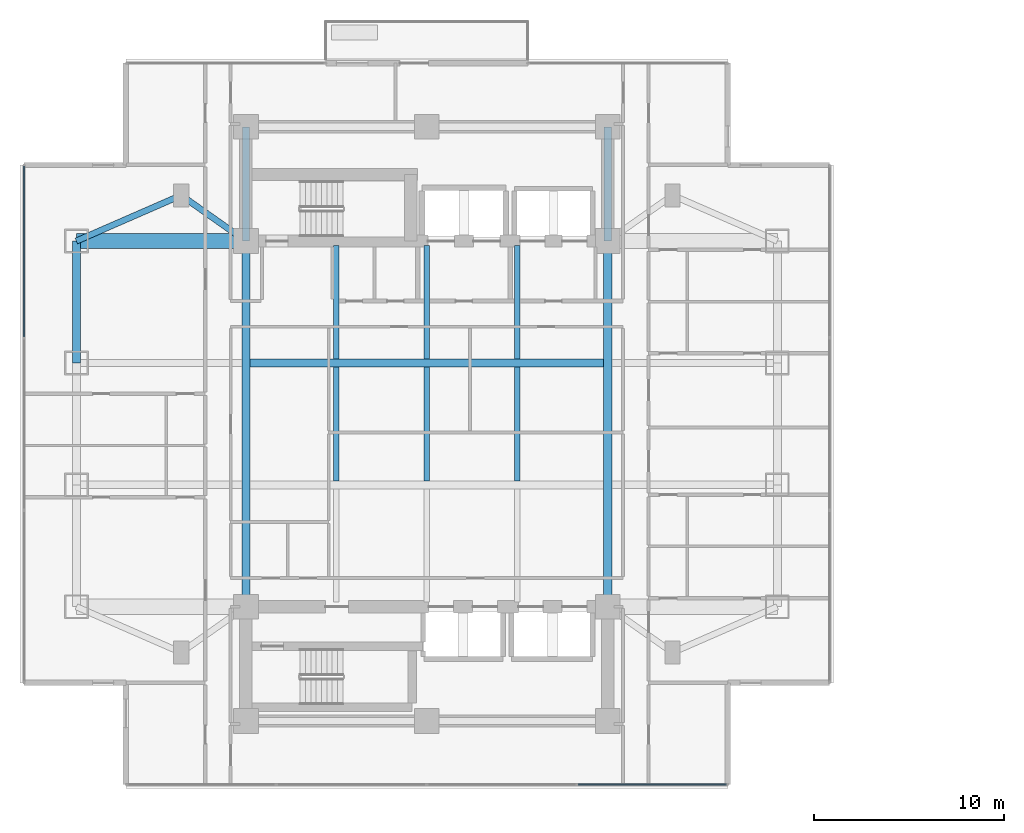
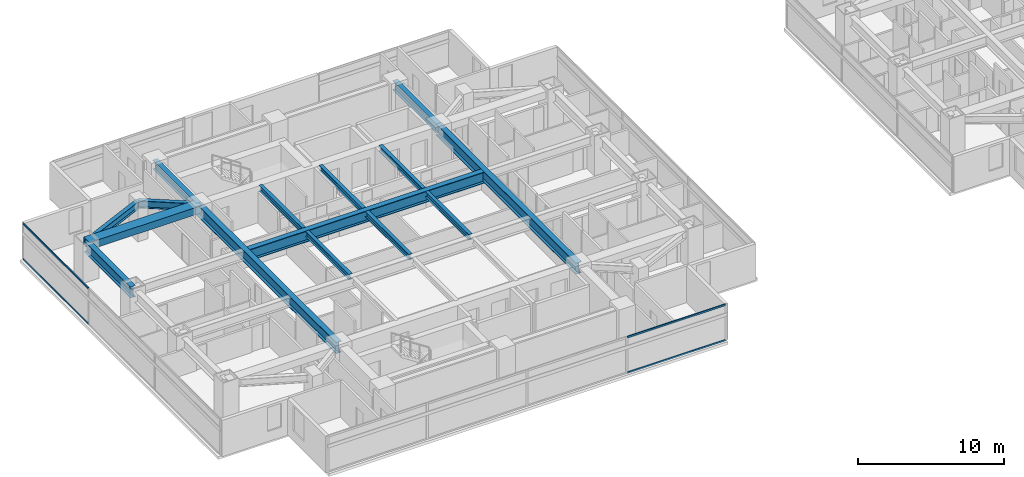
# One storey, part 3 of 25: 15 beams, 4 members, 2 elements without a shape of their own.
"""IFC4 building model written with IfcOpenShell, lengths in metres."""

from ifc_helpers import new_model, si_unit, direction, frame, origin, origin_2d, place, context, subcontext, project, spatial, rectangle, i_section, extrude, material, material_profile, profile_set, type_object, element, aggregate, save


model = new_model("IFC4")

# Units and contexts
model_context = context("Model", 3, precision=1e-05, world=origin(), true_north=direction((0.0, 1.0)))
body_context = subcontext(model_context, "Body", "Model", "MODEL_VIEW")
ifc_project = project(units=[si_unit("LENGTHUNIT", "METRE"), si_unit("AREAUNIT", "SQUARE_METRE"), si_unit("VOLUMEUNIT", "CUBIC_METRE"), si_unit("PLANEANGLEUNIT", "RADIAN"), si_unit("MASSUNIT", "GRAM", prefix="KILO")], contexts=[model_context])

# Site, building, storey
site_placement = place(None, origin())
site = spatial("IfcSite", under=ifc_project, at=site_placement, CompositionType="ELEMENT")
building_placement = place(site_placement, origin())
building = spatial("IfcBuilding", under=site, at=building_placement, Name="Mirazonda Arch Towers", CompositionType="ELEMENT")
storey_placement = place(building_placement, frame((0.0, 0.0, 58.699951171875)))
storey = spatial("IfcBuildingStorey", under=building, at=storey_placement, Name="L16", CompositionType="ELEMENT", Elevation=58.699951171875)

# Beams
ifc_material_1 = material(Name="Steel ASTM A992 Grade 50", Category="steel")
ifc_material_profile_1 = material_profile(ifc_material_1, i_section(OverallWidth=0.41796875, OverallDepth=0.927001953125, WebThickness=0.019287109375, FlangeThickness=0.031982421875, at=origin_2d()), Name="W36X231")
ifc_profile_set_1 = profile_set([ifc_material_profile_1], Name="Steel ASTM A992 Grade 50")
beam_type_1 = type_object("IfcBeamType", Name="BM-EXT-W36X231", PredefinedType="USERDEFINED", material=ifc_profile_set_1)
beam_1_placement = place(storey_placement, frame((2.10009765625, 31.199951171875, 2.596435546875), z_axis=(0.0, 1.0, 0.0), x_axis=(-1.0, 0.0, 0.0)))
element("IfcBeam", 1, at=beam_1_placement, inside=storey, type_object=beam_type_1, Name="L16 Floor Beam BM-T1-L16-NS-W-31", ObjectType="GIRDER", PredefinedType="USERDEFINED", context=body_context, shape_type="SweptSolid", body=[
    extrude(i_section(OverallWidth=0.41796875, OverallDepth=0.927001953125, WebThickness=0.019287109375, FlangeThickness=0.031982421875, at=origin_2d()), origin(), (0.0, 0.0, 1.0), 6.400146484375),
])
ifc_material_profile_2 = material_profile(ifc_material_1, i_section(OverallWidth=0.280029296875, OverallDepth=0.462890625, WebThickness=0.0107421875, FlangeThickness=0.017333984375, at=origin_2d()), Name="W18X76")
ifc_profile_set_2 = profile_set([ifc_material_profile_2], Name="Steel ASTM A992 Grade 50")
beam_type_2 = type_object("IfcBeamType", Name="BM-INT-W18X76", PredefinedType="JOIST", material=ifc_profile_set_2)
beam_2_placement = place(storey_placement, frame((15.75, 31.407470703125, 2.82861328125), z_axis=(0.0, 1.0, 0.0), x_axis=(-1.0, 0.0, 0.0)))
element("IfcBeam", 2, at=beam_2_placement, inside=storey, type_object=beam_type_2, Name="L16 Floor Beam BM-T1-L16-J-157-31", PredefinedType="JOIST", context=body_context, shape_type="SweptSolid", body=[
    extrude(i_section(OverallWidth=0.280029296875, OverallDepth=0.462890625, WebThickness=0.0107421875, FlangeThickness=0.017333984375, at=origin_2d()), origin(), (0.0, 0.0, 1.0), 5.95263671875),
])
beam_3_placement = place(storey_placement, frame((15.75, 25.007568359375, 2.82861328125), z_axis=(0.0, 1.0, 0.0), x_axis=(-1.0, 0.0, 0.0)))
element("IfcBeam", 3, at=beam_3_placement, inside=storey, type_object=beam_type_2, Name="L16 Floor Beam BM-T1-L16-J-157-24", PredefinedType="JOIST", context=body_context, shape_type="SweptSolid", body=[
    extrude(i_section(OverallWidth=0.280029296875, OverallDepth=0.462890625, WebThickness=0.0107421875, FlangeThickness=0.017333984375, at=origin_2d()), origin(), (0.0, 0.0, 1.0), 5.98486328125),
])
beam_4_placement = place(storey_placement, frame((20.5, 31.407470703125, 2.82861328125), z_axis=(0.0, 1.0, 0.0), x_axis=(-1.0, 0.0, 0.0)))
element("IfcBeam", 4, at=beam_4_placement, inside=storey, type_object=beam_type_2, Name="L16 Floor Beam BM-T1-L16-J-205-31", PredefinedType="JOIST", context=body_context, shape_type="SweptSolid", body=[
    extrude(i_section(OverallWidth=0.280029296875, OverallDepth=0.462890625, WebThickness=0.0107421875, FlangeThickness=0.017333984375, at=origin_2d()), origin(), (0.0, 0.0, 1.0), 5.95263671875),
])
beam_5_placement = place(storey_placement, frame((20.5, 25.007568359375, 2.82861328125), z_axis=(0.0, 1.0, 0.0), x_axis=(-1.0, 0.0, 0.0)))
element("IfcBeam", 5, at=beam_5_placement, inside=storey, type_object=beam_type_2, Name="L16 Floor Beam BM-T1-L16-J-205-24", PredefinedType="JOIST", context=body_context, shape_type="SweptSolid", body=[
    extrude(i_section(OverallWidth=0.280029296875, OverallDepth=0.462890625, WebThickness=0.0107421875, FlangeThickness=0.017333984375, at=origin_2d()), origin(), (0.0, 0.0, 1.0), 5.98486328125),
])
beam_6_placement = place(storey_placement, frame((25.25, 31.407470703125, 2.82861328125), z_axis=(0.0, 1.0, 0.0), x_axis=(-1.0, 0.0, 0.0)))
element("IfcBeam", 6, at=beam_6_placement, inside=storey, type_object=beam_type_2, Name="L16 Floor Beam BM-T1-L16-J-252-31", PredefinedType="JOIST", context=body_context, shape_type="SweptSolid", body=[
    extrude(i_section(OverallWidth=0.280029296875, OverallDepth=0.462890625, WebThickness=0.0107421875, FlangeThickness=0.017333984375, at=origin_2d()), origin(), (0.0, 0.0, 1.0), 5.95263671875),
])
beam_7_placement = place(storey_placement, frame((25.25, 25.007568359375, 2.82861328125), z_axis=(0.0, 1.0, 0.0), x_axis=(-1.0, 0.0, 0.0)))
element("IfcBeam", 7, at=beam_7_placement, inside=storey, type_object=beam_type_2, Name="L16 Floor Beam BM-T1-L16-J-252-24", PredefinedType="JOIST", context=body_context, shape_type="SweptSolid", body=[
    extrude(i_section(OverallWidth=0.280029296875, OverallDepth=0.462890625, WebThickness=0.0107421875, FlangeThickness=0.017333984375, at=origin_2d()), origin(), (0.0, 0.0, 1.0), 5.98486328125),
])
ifc_material_profile_3 = material_profile(ifc_material_1, i_section(OverallWidth=0.324951171875, OverallDepth=0.615966796875, WebThickness=0.013916015625, FlangeThickness=0.021484375, at=origin_2d()), Name="W24X117")
ifc_profile_set_3 = profile_set([ifc_material_profile_3], Name="Steel ASTM A992 Grade 50")
beam_type_3 = type_object("IfcBeamType", Name="BM-INT-W24X117", PredefinedType="BEAM", material=ifc_profile_set_3)
beam_8_placement = place(storey_placement, frame((7.60009765625, 40.0, 2.751953125), z_axis=(0.816971114901, -0.576678591087, 0.0), x_axis=(0.576678591087, 0.816971114901, 0.0)))
element("IfcBeam", 8, at=beam_8_placement, inside=storey, type_object=beam_type_3, Name="L16 Floor Beam BM-T1-L16-PL-NW1", PredefinedType="BEAM", context=body_context, shape_type="SweptSolid", body=[
    extrude(i_section(OverallWidth=0.324951171875, OverallDepth=0.615966796875, WebThickness=0.013916015625, FlangeThickness=0.021484375, at=origin_2d()), origin(), (0.0, 0.0, 1.0), 4.16162109375),
])
beam_9_placement = place(storey_placement, frame((7.60009765625, 40.0, 2.751953125), z_axis=(-0.916545343703, -0.399930785183, 0.0), x_axis=(0.399930785183, -0.916545343703, 0.0)))
element("IfcBeam", 9, at=beam_9_placement, inside=storey, type_object=beam_type_3, Name="L16 Floor Beam BM-T1-L16-PL-NW2", PredefinedType="BEAM", context=body_context, shape_type="SweptSolid", body=[
    extrude(i_section(OverallWidth=0.324951171875, OverallDepth=0.615966796875, WebThickness=0.013916015625, FlangeThickness=0.021484375, at=origin_2d()), origin(), (0.0, 0.0, 1.0), 6.000732421875),
])
ifc_material_profile_4 = material_profile(ifc_material_1, i_section(OverallWidth=0.381103515625, OverallDepth=0.77294921875, WebThickness=0.0166015625, FlangeThickness=0.027099609375, at=origin_2d()), Name="W30X173")
ifc_profile_set_4 = profile_set([ifc_material_profile_4], Name="Steel ASTM A992 Grade 50")
beam_type_4 = type_object("IfcBeamType", Name="BM-INT-W30X173", PredefinedType="USERDEFINED", material=ifc_profile_set_4)
for number, where, z_axis, x_axis, name in (
    (10, (11.0, 37.60009765625, 2.673583984375), (0.0, 1.0, 0.0), (-1.0, 0.0, 0.0), "L16 Floor Beam BM-T1-L16-CNW"),
    (11, (30.0, 37.60009765625, 2.673583984375), (0.0, 1.0, 0.0), (-1.0, 0.0, 0.0), "L16 Floor Beam BM-T1-L16-CNE"),
):
    element("IfcBeam", number, at=place(storey_placement, frame(where, z_axis=z_axis, x_axis=x_axis)), inside=storey, type_object=beam_type_4, Name=name, ObjectType="GIRDER", PredefinedType="USERDEFINED", context=body_context, shape_type="SweptSolid", body=[
        extrude(i_section(OverallWidth=0.381103515625, OverallDepth=0.77294921875, WebThickness=0.0166015625, FlangeThickness=0.027099609375, at=origin_2d()), origin(), (0.0, 0.0, 1.0), 6.0),
    ])
ifc_material_profile_5 = material_profile(ifc_material_1, i_section(OverallWidth=0.423095703125, OverallDepth=0.947998046875, WebThickness=0.02392578125, FlangeThickness=0.042724609375, at=origin_2d()), Name="W36X302")
ifc_profile_set_5 = profile_set([ifc_material_profile_5], Name="Steel ASTM A992 Grade 50")
beam_type_5 = type_object("IfcBeamType", Name="BM-INT-W36X302", PredefinedType="USERDEFINED", material=ifc_profile_set_5)
beam_10_placement = place(storey_placement, frame((11.21142578125, 31.199951171875, 2.5859375), z_axis=(1.0, 0.0, 0.0), x_axis=(0.0, 1.0, 0.0)))
element("IfcBeam", 12, at=beam_10_placement, inside=storey, type_object=beam_type_5, Name="L16 Floor Beam BM-T1-L16-GC3", ObjectType="GIRDER", PredefinedType="USERDEFINED", context=body_context, shape_type="SweptSolid", body=[
    extrude(i_section(OverallWidth=0.423095703125, OverallDepth=0.947998046875, WebThickness=0.02392578125, FlangeThickness=0.042724609375, at=origin_2d()), origin(), (0.0, 0.0, 1.0), 18.5771484375),
])
for number, where, z_axis, x_axis, name in (
    (13, (11.0, 18.39990234375, 2.5859375), (0.0, 1.0, 0.0), (-1.0, 0.0, 0.0), "L16 Floor Beam BM-T1-L16-NS-CW-FULL"),
    (14, (30.0, 18.39990234375, 2.5859375), (0.0, 1.0, 0.0), (-1.0, 0.0, 0.0), "L16 Floor Beam BM-T1-L16-NS-CE-FULL"),
):
    element("IfcBeam", number, at=place(storey_placement, frame(where, z_axis=z_axis, x_axis=x_axis)), inside=storey, type_object=beam_type_5, Name=name, ObjectType="GIRDER", PredefinedType="USERDEFINED", context=body_context, shape_type="SweptSolid", body=[
        extrude(i_section(OverallWidth=0.423095703125, OverallDepth=0.947998046875, WebThickness=0.02392578125, FlangeThickness=0.042724609375, at=origin_2d()), origin(), (0.0, 0.0, 1.0), 19.2001953125),
    ])
ifc_material_2 = material(Name="Concrete C60/75", Category="concrete")
ifc_material_profile_6 = material_profile(ifc_material_2, rectangle(XDim=0.800048828125, YDim=0.60009765625, at=origin_2d()), Name="RCCB800x600")
ifc_profile_set_6 = profile_set([ifc_material_profile_6], Name="Concrete C60/75")
beam_type_6 = type_object("IfcBeamType", Name="CB-INT-RCCB800x600", PredefinedType="SPANDREL", material=ifc_profile_set_6)
beam_11_placement = place(storey_placement, frame((2.10009765625, 37.60009765625, 2.760009765625), z_axis=(1.0, 0.0, 0.0), x_axis=(0.0, 1.0, 0.0)))
element("IfcBeam", 15, at=beam_11_placement, inside=storey, type_object=beam_type_6, Name="L16 Floor Beam CBC-T1-L16-NW", PredefinedType="SPANDREL", context=body_context, shape_type="SweptSolid", body=[
    extrude(rectangle(XDim=0.800048828125, YDim=0.60009765625, at=origin_2d()), origin(), (0.0, 0.0, 1.0), 8.89990234375),
])

# Curtain wall, members
ifc_material_3 = material(Name="Anodised Aluminium and Low-E Glass", Category="aluminium")
curtain_wall_type = type_object("IfcCurtainWallType", Name="CW-HTL-UNIT", PredefinedType="NOTDEFINED", material=ifc_material_3)
curtain_wall_1_placement = place(storey_placement, origin())
curtain_wall_1 = element("IfcCurtainWall", 16, at=curtain_wall_1_placement, inside=storey, type_object=curtain_wall_type, Name="L16 T1 S Facade CW-L16-T1-S", PredefinedType="NOTDEFINED")
ifc_material_4 = material(Name="Anodised Aluminium Alloy", Category="aluminium")
ifc_material_profile_7 = material_profile(ifc_material_4, rectangle(XDim=0.074951171875, YDim=0.14501953125, at=origin_2d()), Name="ALU-TRAN-75x145")
ifc_profile_set_7 = profile_set([ifc_material_profile_7], Name="Anodised Aluminium Alloy")
member_type = type_object("IfcMemberType", Name="TRAN-CW-HTL-UNIT", PredefinedType="USERDEFINED", material=ifc_profile_set_7)
member_1_placement = place(storey_placement, frame((36.22509765625, 9.06396484375, 0.03759765625), z_axis=(-1.0, 0.0, 0.0), x_axis=(0.0, -1.0, 0.0)))
member_1 = element("IfcMember", 17, at=member_1_placement, type_object=member_type, Name="CW-112 transom 1.1", ObjectType="TRANSOM", PredefinedType="USERDEFINED", context=body_context, shape_type="SweptSolid", body=[
    extrude(rectangle(XDim=0.074951171875, YDim=0.14501953125, at=origin_2d()), origin(), (0.0, 0.0, 1.0), 7.78759765625),
])
member_2_placement = place(storey_placement, frame((36.22509765625, 9.06396484375, 3.00244140625), z_axis=(-1.0, 0.0, 0.0), x_axis=(0.0, -1.0, 0.0)))
member_2 = element("IfcMember", 18, at=member_2_placement, type_object=member_type, Name="CW-112 transom 1.2", ObjectType="TRANSOM", PredefinedType="USERDEFINED", context=body_context, shape_type="SweptSolid", body=[
    extrude(rectangle(XDim=0.074951171875, YDim=0.14501953125, at=origin_2d()), origin(), (0.0, 0.0, 1.0), 7.78759765625),
])
aggregate(curtain_wall_1, [member_1, member_2])

curtain_wall_2_placement = place(storey_placement, origin())
curtain_wall_2 = element("IfcCurtainWall", 19, at=curtain_wall_2_placement, inside=storey, type_object=curtain_wall_type, Name="L16 T1 W Facade CW-L16-T1-W", PredefinedType="NOTDEFINED")
member_3_placement = place(storey_placement, frame((-0.639892578125, 41.52099609375, 0.03759765625), z_axis=(0.0, -1.0, 0.0), x_axis=(1.0, 0.0, 0.0)))
member_3 = element("IfcMember", 20, at=member_3_placement, type_object=member_type, Name="CW-112 transom 1.1", ObjectType="TRANSOM", PredefinedType="USERDEFINED", context=body_context, shape_type="SweptSolid", body=[
    extrude(rectangle(XDim=0.074951171875, YDim=0.14501953125, at=origin_2d()), origin(), (0.0, 0.0, 1.0), 8.951416015625),
])
member_4_placement = place(storey_placement, frame((-0.639892578125, 41.52099609375, 3.00244140625), z_axis=(0.0, -1.0, 0.0), x_axis=(1.0, 0.0, 0.0)))
member_4 = element("IfcMember", 21, at=member_4_placement, type_object=member_type, Name="CW-112 transom 1.2", ObjectType="TRANSOM", PredefinedType="USERDEFINED", context=body_context, shape_type="SweptSolid", body=[
    extrude(rectangle(XDim=0.074951171875, YDim=0.14501953125, at=origin_2d()), origin(), (0.0, 0.0, 1.0), 8.951416015625),
])
aggregate(curtain_wall_2, [member_3, member_4])

save(model, "model.ifc")
